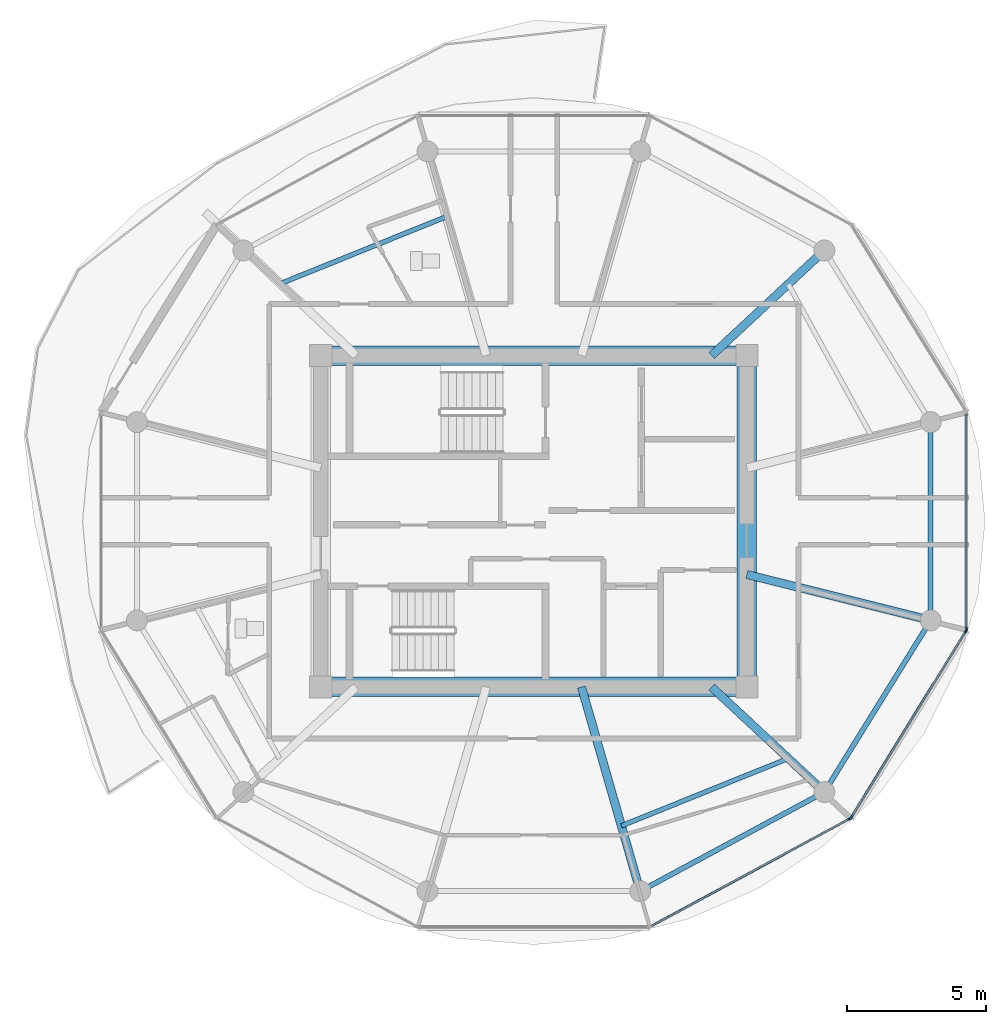
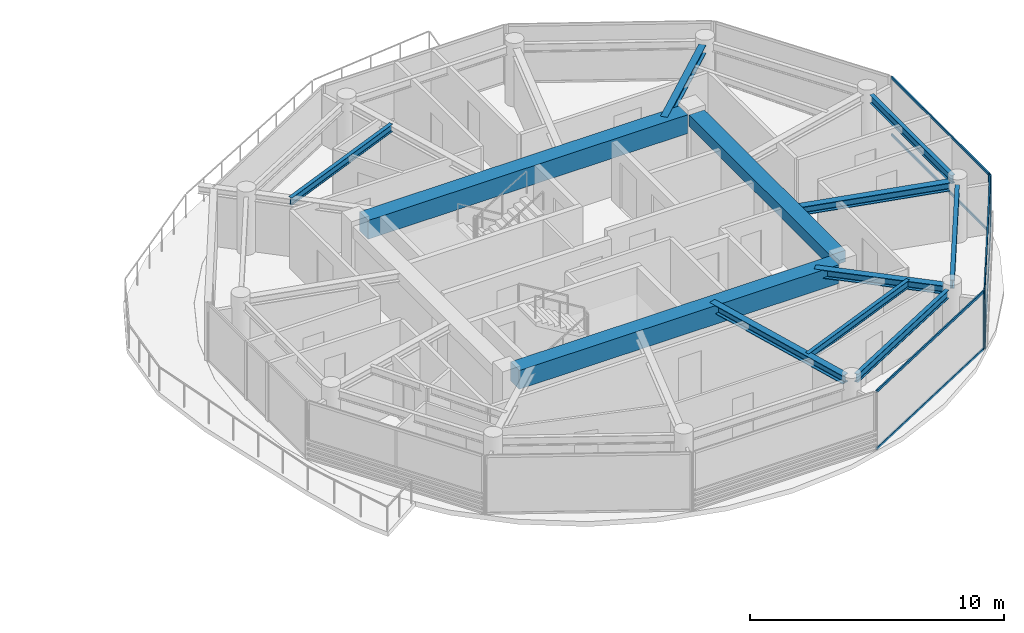
# One storey, part 6 of 19: 12 beams, 10 members, 3 elements without a shape of their own.
"""IFC4 building model written with IfcOpenShell, lengths in metres."""

from ifc_helpers import new_model, si_unit, direction, frame, origin, origin_2d, place, context, subcontext, project, spatial, rectangle, i_section, extrude, source, transform, mapped, material, layer, layer_set, material_profile, profile_set, type_object, type_shapes, element, aggregate, save


model = new_model("IFC4")

# Units and contexts
model_context = context("Model", 3, precision=1e-05, world=origin(), true_north=direction((0.0, 1.0)))
body_context = subcontext(model_context, "Body", "Model", "MODEL_VIEW")
ifc_project = project(units=[si_unit("LENGTHUNIT", "METRE"), si_unit("AREAUNIT", "SQUARE_METRE"), si_unit("VOLUMEUNIT", "CUBIC_METRE"), si_unit("PLANEANGLEUNIT", "RADIAN"), si_unit("MASSUNIT", "GRAM", prefix="KILO")], contexts=[model_context])

# Site, building, storey
site_placement = place(None, origin())
site = spatial("IfcSite", under=ifc_project, at=site_placement, CompositionType="ELEMENT")
building_placement = place(site_placement, origin())
building = spatial("IfcBuilding", under=site, at=building_placement, Name="Norrkilde Senior Care Towers", CompositionType="ELEMENT")
storey_placement = place(building_placement, frame((0.0, 0.0, 193.699951171875)))
storey = spatial("IfcBuildingStorey", under=building, at=storey_placement, Name="L60", CompositionType="ELEMENT", Elevation=193.699951171875)

# Beams
ifc_material_1 = material(Name="Concrete C60/75", Category="concrete")
ifc_material_profile_1 = material_profile(ifc_material_1, rectangle(XDim=0.699951171875, YDim=0.89990234375, at=origin_2d()), Name="RC BM 700x900")
ifc_profile_set_1 = profile_set([ifc_material_profile_1], Name="Concrete C60/75")
beam_type_1 = type_object("IfcBeamType", Name="Core Coupling Girder 700x900", PredefinedType="USERDEFINED", material=ifc_profile_set_1)
shared_shape_1 = source(origin(), body_context, "Body", "SweptSolid", [
    extrude(rectangle(XDim=0.699951171875, YDim=0.89990234375, at=origin_2d()), origin(), (0.0, 0.0, 1.0), 14.5400390625),
])
type_shapes(beam_type_1, [shared_shape_1])
for number, where, z_axis, x_axis, name in (
    (1, (20.72998046875, 5.949951171875, 2.360107421875), (1.0, 0.0, 0.0), (0.0, 1.0, 0.0), "L60 Core E N Coupling Girder"),
    (2, (20.72998046875, -5.949951171875, 2.360107421875), (1.0, 0.0, 0.0), (0.0, 1.0, 0.0), "L60 Core E S Coupling Girder"),
):
    element("IfcBeam", number, at=place(storey_placement, frame(where, z_axis=z_axis, x_axis=x_axis)), inside=storey, type_object=beam_type_1, Name=name, ObjectType="GIRDER", PredefinedType="USERDEFINED", context=body_context, shape_type="MappedRepresentation", body=[
        mapped(shared_shape_1, transform((0.0, 0.0, 0.0), x_axis=(1.0, 0.0, 0.0), y_axis=(0.0, 1.0, 0.0), z_axis=(0.0, 0.0, 1.0), scale=1.0)),
    ])
ifc_material_profile_2 = material_profile(ifc_material_1, rectangle(XDim=0.699951171875, YDim=0.550048828125, at=origin_2d()), Name="RC BM 700x550")
ifc_profile_set_2 = profile_set([ifc_material_profile_2], Name="Concrete C60/75")
beam_type_2 = type_object("IfcBeamType", Name="Core Portal Coupling Beam 700x550", PredefinedType="USERDEFINED", material=ifc_profile_set_2)
shared_shape_2 = source(origin(), body_context, "Body", "SweptSolid", [
    extrude(rectangle(XDim=0.699951171875, YDim=0.550048828125, at=origin_2d()), origin(), (0.0, 0.0, 1.0), 11.14013671875),
])
type_shapes(beam_type_2, [shared_shape_2])
beam_1_placement = place(storey_placement, frame((35.64990234375, -5.570068359375, 2.53515625), z_axis=(0.0, 1.0, 0.0), x_axis=(-1.0, 0.0, 0.0)))
element("IfcBeam", 3, at=beam_1_placement, inside=storey, type_object=beam_type_2, Name="L60 Core E E Coupling Girder", ObjectType="GIRDER", PredefinedType="USERDEFINED", context=body_context, shape_type="MappedRepresentation", body=[
    mapped(shared_shape_2, transform((0.0, 0.0, 0.0), x_axis=(1.0, 0.0, 0.0), y_axis=(0.0, 1.0, 0.0), z_axis=(0.0, 0.0, 1.0), scale=1.0)),
])
ifc_material_2 = material(Name="Steel S355", Category="steel")
ifc_material_profile_3 = material_profile(ifc_material_2, i_section(OverallWidth=0.179931640625, OverallDepth=0.39990234375, WebThickness=0.008544921875, FlangeThickness=0.013427734375, FilletRadius=0.02099609375, at=origin_2d()), Name="IPE 400")
ifc_profile_set_3 = profile_set([ifc_material_profile_3], Name="Steel S355")
beam_type_3 = type_object("IfcBeamType", Name="Perimeter Ring Spandrel Z4 IPE400", PredefinedType="SPANDREL", material=ifc_profile_set_3)
shared_shape_3 = source(origin(), body_context, "Body", "SweptSolid", [
    extrude(i_section(OverallWidth=0.179931640625, OverallDepth=0.39990234375, WebThickness=0.008544921875, FlangeThickness=0.013427734375, FilletRadius=0.02099609375, at=origin_2d()), origin(), (0.0, 0.0, 1.0), 6.58056640625),
])
beam_2_placement = place(storey_placement, frame((38.606201171875, -9.43798828125, 2.610107421875), z_axis=(0.526529583789, 0.850156807533, 0.0), x_axis=(-0.850156807533, 0.526529583789, 0.0)))
element("IfcBeam", 4, at=beam_2_placement, inside=storey, type_object=beam_type_3, Name="L60 Drum E Perimeter Spandrel 11", PredefinedType="SPANDREL", context=body_context, shape_type="MappedRepresentation", body=[
    mapped(shared_shape_3, transform((0.0, 0.0, 0.0), x_axis=(1.0, 0.0, 0.0), y_axis=(0.0, 1.0, 0.0), z_axis=(0.0, 0.0, 1.0), scale=1.0)),
])
ifc_material_profile_4 = material_profile(ifc_material_2, i_section(OverallWidth=0.300048828125, OverallDepth=0.39990234375, WebThickness=0.013427734375, FlangeThickness=0.02392578125, FilletRadius=0.027099609375, at=origin_2d()), Name="HEB 400")
ifc_profile_set_4 = profile_set([ifc_material_profile_4], Name="Steel S355")
beam_type_4 = type_object("IfcBeamType", Name="Radial Floor Beam Z4 HEB400", PredefinedType="BEAM", material=ifc_profile_set_4)
shared_shape_4 = source(origin(), body_context, "Body", "SweptSolid", [
    extrude(i_section(OverallWidth=0.300048828125, OverallDepth=0.39990234375, WebThickness=0.013427734375, FlangeThickness=0.02392578125, FilletRadius=0.027099609375, at=origin_2d()), origin(), (0.0, 0.0, 1.0), 6.465087890625),
])
beam_3_placement = place(storey_placement, frame((35.64990234375, -1.910888671875, 2.610107421875), z_axis=(0.970195788563, -0.242322371758, 0.0), x_axis=(0.242322371758, 0.970195788563, 0.0)))
element("IfcBeam", 5, at=beam_3_placement, inside=storey, type_object=beam_type_4, Name="L60 Drum E Radial Floor Beam 12", PredefinedType="BEAM", context=body_context, shape_type="MappedRepresentation", body=[
    mapped(shared_shape_4, transform((0.0, 0.0, 0.0), x_axis=(1.0, 0.0, 0.0), y_axis=(0.0, 1.0, 0.0), z_axis=(0.0, 0.0, 1.0), scale=1.0)),
])
shared_shape_5 = source(origin(), body_context, "Body", "SweptSolid", [
    extrude(i_section(OverallWidth=0.179931640625, OverallDepth=0.39990234375, WebThickness=0.008544921875, FlangeThickness=0.013427734375, FilletRadius=0.02099609375, at=origin_2d()), origin(), (0.0, 0.0, 1.0), 6.839111328125),
])
beam_4_placement = place(storey_placement, frame((32.112548828125, -13.122802734375, 2.610107421875), z_axis=(0.880563930732, 0.473927382511, 0.0), x_axis=(-0.473927382511, 0.880563930732, 0.0)))
element("IfcBeam", 6, at=beam_4_placement, inside=storey, type_object=beam_type_3, Name="L60 Drum E Perimeter Spandrel 10", PredefinedType="SPANDREL", context=body_context, shape_type="MappedRepresentation", body=[
    mapped(shared_shape_5, transform((0.0, 0.0, 0.0), x_axis=(1.0, 0.0, 0.0), y_axis=(0.0, 1.0, 0.0), z_axis=(0.0, 0.0, 1.0), scale=1.0)),
])
shared_shape_6 = source(origin(), body_context, "Body", "SweptSolid", [
    extrude(i_section(OverallWidth=0.300048828125, OverallDepth=0.39990234375, WebThickness=0.013427734375, FlangeThickness=0.02392578125, FilletRadius=0.027099609375, at=origin_2d()), origin(), (0.0, 0.0, 1.0), 5.197998046875),
])
for number, where, z_axis, x_axis, name in (
    (7, (34.3828125, 5.949951171875, 2.610107421875), (0.731448749334, 0.681896419625, 0.0), (-0.681896419625, 0.731448749334, 0.0), "L60 Drum E Radial Floor Beam 02"),
    (8, (34.3828125, -5.949951171875, 2.610107421875), (0.731448749334, -0.681896419625, 0.0), (0.681896419625, 0.731448749334, 0.0), "L60 Drum E Radial Floor Beam 11"),
):
    element("IfcBeam", number, at=place(storey_placement, frame(where, z_axis=z_axis, x_axis=x_axis)), inside=storey, type_object=beam_type_4, Name=name, PredefinedType="BEAM", context=body_context, shape_type="MappedRepresentation", body=[
        mapped(shared_shape_6, transform((0.0, 0.0, 0.0), x_axis=(1.0, 0.0, 0.0), y_axis=(0.0, 1.0, 0.0), z_axis=(0.0, 0.0, 1.0), scale=1.0)),
    ])
shared_shape_7 = source(origin(), body_context, "Body", "SweptSolid", [
    extrude(i_section(OverallWidth=0.300048828125, OverallDepth=0.39990234375, WebThickness=0.013427734375, FlangeThickness=0.02392578125, FilletRadius=0.027099609375, at=origin_2d()), origin(), (0.0, 0.0, 1.0), 7.29345703125),
])
type_shapes(beam_type_4, [shared_shape_4, shared_shape_6, shared_shape_7])
beam_5_placement = place(storey_placement, frame((29.710205078125, -5.949951171875, 2.610107421875), z_axis=(0.276263751906, -0.961081858836, 0.0), x_axis=(0.961081858836, 0.276263751906, 0.0)))
element("IfcBeam", 9, at=beam_5_placement, inside=storey, type_object=beam_type_4, Name="L60 Drum E Radial Floor Beam 10", PredefinedType="BEAM", context=body_context, shape_type="MappedRepresentation", body=[
    mapped(shared_shape_7, transform((0.0, 0.0, 0.0), x_axis=(1.0, 0.0, 0.0), y_axis=(0.0, 1.0, 0.0), z_axis=(0.0, 0.0, 1.0), scale=1.0)),
])
shared_shape_8 = source(origin(), body_context, "Body", "SweptSolid", [
    extrude(i_section(OverallWidth=0.179931640625, OverallDepth=0.39990234375, WebThickness=0.008544921875, FlangeThickness=0.013427734375, FilletRadius=0.02099609375, at=origin_2d()), origin(), (0.0, 0.0, 1.0), 6.44775390625),
])
type_shapes(beam_type_3, [shared_shape_3, shared_shape_5, shared_shape_8])
beam_6_placement = place(storey_placement, frame((42.247314453125, -3.223876953125, 2.610107421875), z_axis=(0.0, 1.0, 0.0), x_axis=(-1.0, 0.0, 0.0)))
element("IfcBeam", 10, at=beam_6_placement, inside=storey, type_object=beam_type_3, Name="L60 Drum E Perimeter Spandrel 12", PredefinedType="SPANDREL", context=body_context, shape_type="MappedRepresentation", body=[
    mapped(shared_shape_8, transform((0.0, 0.0, 0.0), x_axis=(1.0, 0.0, 0.0), y_axis=(0.0, 1.0, 0.0), z_axis=(0.0, 0.0, 1.0), scale=1.0)),
])
ifc_material_profile_5 = material_profile(ifc_material_2, i_section(OverallWidth=0.169921875, OverallDepth=0.360107421875, WebThickness=0.008056640625, FlangeThickness=0.0126953125, FilletRadius=0.01806640625, at=origin_2d()), Name="IPE 360")
ifc_profile_set_5 = profile_set([ifc_material_profile_5], Name="Steel S355")
beam_type_5 = type_object("IfcBeamType", Name="Secondary Floor Joist IPE360", PredefinedType="JOIST", material=ifc_profile_set_5)
shared_shape_9 = source(origin(), body_context, "Body", "SweptSolid", [
    extrude(i_section(OverallWidth=0.169921875, OverallDepth=0.360107421875, WebThickness=0.008056640625, FlangeThickness=0.0126953125, FilletRadius=0.01806640625, at=origin_2d()), origin(), (0.0, 0.0, 1.0), 6.461669921875),
])
type_shapes(beam_type_5, [shared_shape_9])
for number, where, z_axis, x_axis, name in (
    (11, (24.856689453125, 10.935302734375, 2.630126953125), (-0.927225942298, -0.374502405772, 0.0), (0.374502405772, -0.927225942298, 0.0), "L60 Drum E Secondary Floor Joist 2"),
    (12, (31.143310546875, -10.935302734375, 2.630126953125), (0.927225942298, 0.374502405772, 0.0), (-0.374502405772, 0.927225942298, 0.0), "L60 Drum E Secondary Floor Joist 4"),
):
    element("IfcBeam", number, at=place(storey_placement, frame(where, z_axis=z_axis, x_axis=x_axis)), inside=storey, type_object=beam_type_5, Name=name, PredefinedType="JOIST", context=body_context, shape_type="MappedRepresentation", body=[
        mapped(shared_shape_9, transform((0.0, 0.0, 0.0), x_axis=(1.0, 0.0, 0.0), y_axis=(0.0, 1.0, 0.0), z_axis=(0.0, 0.0, 1.0), scale=1.0)),
    ])

# Curtain wall, member
ifc_material_3 = material(Name="Triple Low-E Insulated Glazing", Category="glass")
ifc_layer = layer(ifc_material_3, 0.18505859375)
ifc_layer_set = layer_set([ifc_layer], Name="Triple Low-E Insulated Glazing")
curtain_wall_type = type_object("IfcCurtainWallType", Name="CW6 Zone 4 Crown Pavilion Curtain Wall", PredefinedType="NOTDEFINED", material=ifc_layer_set)
curtain_wall_1_placement = place(storey_placement, origin())
curtain_wall_1 = element("IfcCurtainWall", 13, at=curtain_wall_1_placement, inside=storey, type_object=curtain_wall_type, Name="L60 Drum E Curtain Wall 09", PredefinedType="NOTDEFINED")
ifc_material_4 = material(Name="Anodised Aluminium", Category="aluminium")
ifc_material_profile_6 = material_profile(ifc_material_4, rectangle(XDim=0.06494140625, YDim=0.14990234375, at=origin_2d()), Name="ALU MULL 65x150")
ifc_profile_set_6 = profile_set([ifc_material_profile_6], Name="Anodised Aluminium")
member_type_1 = type_object("IfcMemberType", Name="Curtain Wall Mullion Z3-Z4 65x150", PredefinedType="MULLION", material=ifc_profile_set_6)
shared_shape_10 = source(origin(), body_context, "Body", "SweptSolid", [
    extrude(rectangle(XDim=0.06494140625, YDim=0.14990234375, at=origin_2d()), origin(), (0.0, 0.0, 1.0), 2.81005859375),
])
type_shapes(member_type_1, [shared_shape_10])
member_1_placement = place(storey_placement, frame((39.341796875, -10.6787109375, 0.0), z_axis=(0.0, 0.0, 1.0), x_axis=(0.476132676136, -0.879373455772, 0.0)))
member_1 = element("IfcMember", 14, at=member_1_placement, type_object=member_type_1, Name="CW-6 mullion 1", PredefinedType="MULLION", context=body_context, shape_type="MappedRepresentation", body=[
    mapped(shared_shape_10, transform((0.0, 0.0, 0.0), x_axis=(1.0, 0.0, 0.0), y_axis=(0.0, 1.0, 0.0), z_axis=(0.0, 0.0, 1.0), scale=1.0)),
])

# Curtain wall, members
curtain_wall_2_placement = place(storey_placement, origin())
curtain_wall_2 = element("IfcCurtainWall", 15, at=curtain_wall_2_placement, inside=storey, type_object=curtain_wall_type, Name="L60 Drum E Curtain Wall 10", PredefinedType="NOTDEFINED")
member_2_placement = place(storey_placement, frame((43.51513671875, -3.9306640625, 0.0), z_axis=(0.0, 0.0, 1.0), x_axis=(0.851562727283, -0.524252726748, 0.0)))
member_2 = element("IfcMember", 16, at=member_2_placement, type_object=member_type_1, Name="CW-6 mullion 1", PredefinedType="MULLION", context=body_context, shape_type="MappedRepresentation", body=[
    mapped(shared_shape_10, transform((0.0, 0.0, 0.0), x_axis=(1.0, 0.0, 0.0), y_axis=(0.0, 1.0, 0.0), z_axis=(0.0, 0.0, 1.0), scale=1.0)),
])
member_3_placement = place(storey_placement, frame((39.38720703125, -10.635498046875, 0.0), z_axis=(0.0, 0.0, 1.0), x_axis=(0.851562727283, -0.524252726748, 0.0)))
member_3 = element("IfcMember", 17, at=member_3_placement, type_object=member_type_1, Name="CW-6 mullion 2", PredefinedType="MULLION", context=body_context, shape_type="MappedRepresentation", body=[
    mapped(shared_shape_10, transform((0.0, 0.0, 0.0), x_axis=(1.0, 0.0, 0.0), y_axis=(0.0, 1.0, 0.0), z_axis=(0.0, 0.0, 1.0), scale=1.0)),
])

# Curtain wall, member
curtain_wall_3_placement = place(storey_placement, origin())
curtain_wall_3 = element("IfcCurtainWall", 18, at=curtain_wall_3_placement, inside=storey, type_object=curtain_wall_type, Name="L60 Drum E Curtain Wall 11", PredefinedType="NOTDEFINED")
member_4_placement = place(storey_placement, frame((43.531982421875, -3.87060546875, 0.0), z_axis=(0.0, 0.0, 1.0), x_axis=(1.0, 0.0, 0.0)))
member_4 = element("IfcMember", 19, at=member_4_placement, type_object=member_type_1, Name="CW-6 mullion 2", PredefinedType="MULLION", context=body_context, shape_type="MappedRepresentation", body=[
    mapped(shared_shape_10, transform((0.0, 0.0, 0.0), x_axis=(1.0, 0.0, 0.0), y_axis=(0.0, 1.0, 0.0), z_axis=(0.0, 0.0, 1.0), scale=1.0)),
])

# Member
ifc_material_profile_7 = material_profile(ifc_material_4, rectangle(XDim=0.06005859375, YDim=0.1201171875, at=origin_2d()), Name="ALU TRAN 60x120")
ifc_profile_set_7 = profile_set([ifc_material_profile_7], Name="Anodised Aluminium")
member_type_2 = type_object("IfcMemberType", Name="Curtain Wall Transom Typical 60x120", PredefinedType="USERDEFINED", material=ifc_profile_set_7)
shared_shape_11 = source(origin(), body_context, "Body", "SweptSolid", [
    extrude(rectangle(XDim=0.06005859375, YDim=0.1201171875, at=origin_2d()), origin(), (0.0, 0.0, 1.0), 7.808837890625),
])
member_5_placement = place(storey_placement, frame((43.498046875, -3.958251953125, 0.030029296875), z_axis=(-0.524250924101, -0.851563837055, 0.0), x_axis=(0.851563837055, -0.524250924101, 0.0)))
member_5 = element("IfcMember", 20, at=member_5_placement, type_object=member_type_2, Name="CW-6 transom 1.1", ObjectType="TRANSOM", PredefinedType="USERDEFINED", context=body_context, shape_type="MappedRepresentation", body=[
    mapped(shared_shape_11, transform((0.0, 0.0, 0.0), x_axis=(1.0, 0.0, 0.0), y_axis=(0.0, 1.0, 0.0), z_axis=(0.0, 0.0, 1.0), scale=1.0)),
])

member_6_placement = place(storey_placement, frame((43.498046875, -3.958251953125, 2.780029296875), z_axis=(-0.524250924101, -0.851563837055, 0.0), x_axis=(0.851563837055, -0.524250924101, 0.0)))
member_6 = element("IfcMember", 21, at=member_6_placement, type_object=member_type_2, Name="CW-6 transom 1.2", ObjectType="TRANSOM", PredefinedType="USERDEFINED", context=body_context, shape_type="MappedRepresentation", body=[
    mapped(shared_shape_11, transform((0.0, 0.0, 0.0), x_axis=(1.0, 0.0, 0.0), y_axis=(0.0, 1.0, 0.0), z_axis=(0.0, 0.0, 1.0), scale=1.0)),
])

aggregate(curtain_wall_2, [member_2, member_3, member_5, member_6])

shared_shape_12 = source(origin(), body_context, "Body", "SweptSolid", [
    extrude(rectangle(XDim=0.06005859375, YDim=0.1201171875, at=origin_2d()), origin(), (0.0, 0.0, 1.0), 8.0673828125),
])
member_7_placement = place(storey_placement, frame((39.313232421875, -10.694091796875, 0.030029296875), z_axis=(-0.87937750072, -0.476125205411, 0.0), x_axis=(0.476125205411, -0.87937750072, 0.0)))
member_7 = element("IfcMember", 22, at=member_7_placement, type_object=member_type_2, Name="CW-6 transom 1.1", ObjectType="TRANSOM", PredefinedType="USERDEFINED", context=body_context, shape_type="MappedRepresentation", body=[
    mapped(shared_shape_12, transform((0.0, 0.0, 0.0), x_axis=(1.0, 0.0, 0.0), y_axis=(0.0, 1.0, 0.0), z_axis=(0.0, 0.0, 1.0), scale=1.0)),
])

member_8_placement = place(storey_placement, frame((39.313232421875, -10.694091796875, 2.780029296875), z_axis=(-0.87937750072, -0.476125205411, 0.0), x_axis=(0.476125205411, -0.87937750072, 0.0)))
member_8 = element("IfcMember", 23, at=member_8_placement, type_object=member_type_2, Name="CW-6 transom 1.2", ObjectType="TRANSOM", PredefinedType="USERDEFINED", context=body_context, shape_type="MappedRepresentation", body=[
    mapped(shared_shape_12, transform((0.0, 0.0, 0.0), x_axis=(1.0, 0.0, 0.0), y_axis=(0.0, 1.0, 0.0), z_axis=(0.0, 0.0, 1.0), scale=1.0)),
])

aggregate(curtain_wall_1, [member_1, member_7, member_8])

shared_shape_13 = source(origin(), body_context, "Body", "SweptSolid", [
    extrude(rectangle(XDim=0.06005859375, YDim=0.1201171875, at=origin_2d()), origin(), (0.0, 0.0, 1.0), 7.67578125),
])
type_shapes(member_type_2, [shared_shape_11, shared_shape_12, shared_shape_13])
member_9_placement = place(storey_placement, frame((43.531982421875, 3.837890625, 0.030029296875), z_axis=(0.0, -1.0, 0.0), x_axis=(1.0, 0.0, 0.0)))
member_9 = element("IfcMember", 24, at=member_9_placement, type_object=member_type_2, Name="CW-6 transom 1.1", ObjectType="TRANSOM", PredefinedType="USERDEFINED", context=body_context, shape_type="MappedRepresentation", body=[
    mapped(shared_shape_13, transform((0.0, 0.0, 0.0), x_axis=(1.0, 0.0, 0.0), y_axis=(0.0, 1.0, 0.0), z_axis=(0.0, 0.0, 1.0), scale=1.0)),
])

member_10_placement = place(storey_placement, frame((43.531982421875, 3.837890625, 2.780029296875), z_axis=(0.0, -1.0, 0.0), x_axis=(1.0, 0.0, 0.0)))
member_10 = element("IfcMember", 25, at=member_10_placement, type_object=member_type_2, Name="CW-6 transom 1.2", ObjectType="TRANSOM", PredefinedType="USERDEFINED", context=body_context, shape_type="MappedRepresentation", body=[
    mapped(shared_shape_13, transform((0.0, 0.0, 0.0), x_axis=(1.0, 0.0, 0.0), y_axis=(0.0, 1.0, 0.0), z_axis=(0.0, 0.0, 1.0), scale=1.0)),
])

aggregate(curtain_wall_3, [member_4, member_9, member_10])

save(model, "model.ifc")
